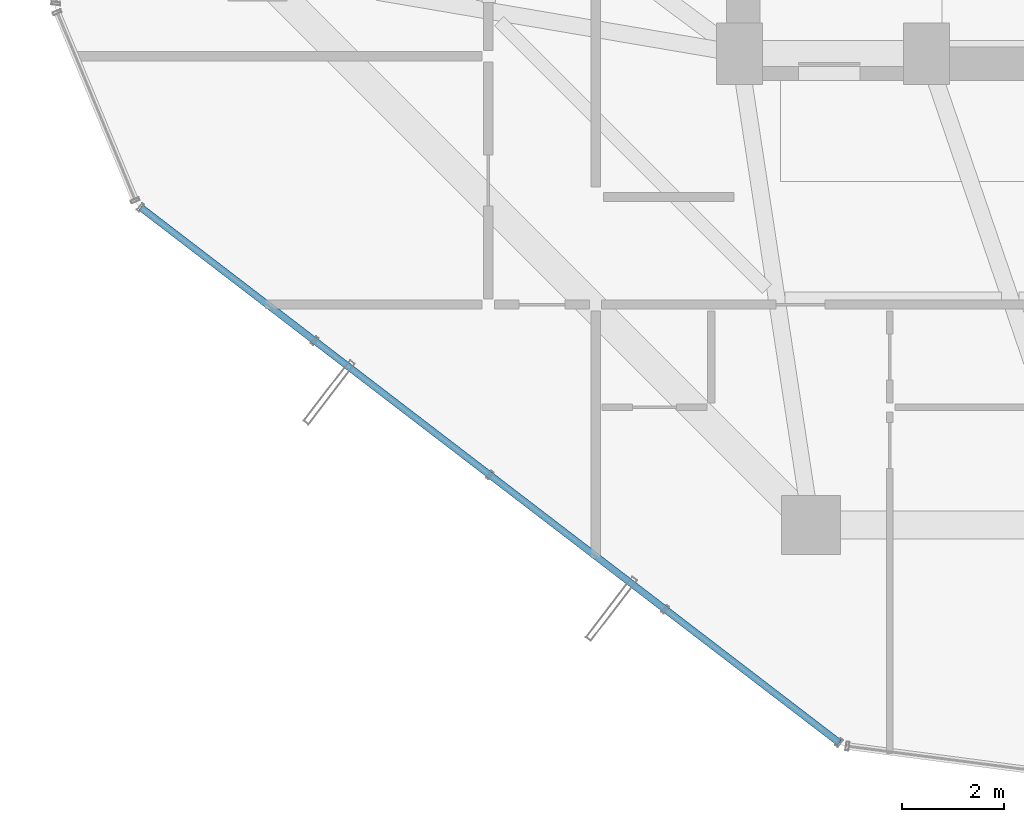
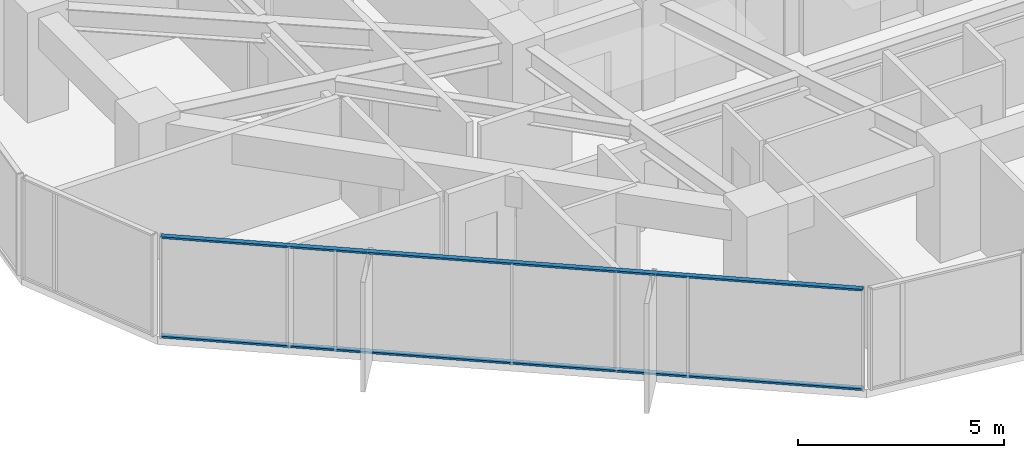
# One storey, part 3 of 30: 2 members, 1 element without a shape of its own.
"""IFC4 building model written with IfcOpenShell, lengths in metres."""

from ifc_helpers import new_model, si_unit, direction, frame, origin, origin_2d, place, context, subcontext, project, spatial, hollow_rectangle, extrude, source, transform, mapped, material, layer, layer_set, material_profile, profile_set, type_object, element, aggregate, save


model = new_model("IFC4")

# Units and contexts
model_context = context("Model", 3, precision=1e-05, world=origin(), true_north=direction((0.0, 1.0)))
body_context = subcontext(model_context, "Body", "Model", "MODEL_VIEW")
ifc_project = project(units=[si_unit("LENGTHUNIT", "METRE"), si_unit("AREAUNIT", "SQUARE_METRE"), si_unit("VOLUMEUNIT", "CUBIC_METRE"), si_unit("PLANEANGLEUNIT", "RADIAN"), si_unit("MASSUNIT", "GRAM", prefix="KILO")], contexts=[model_context])

# Site, building, storey
site_placement = place(None, origin())
site = spatial("IfcSite", under=ifc_project, at=site_placement, CompositionType="ELEMENT")
building_placement = place(site_placement, origin())
building = spatial("IfcBuilding", under=site, at=building_placement, Name="Veraguas Prism Commons", CompositionType="ELEMENT")
storey_placement = place(building_placement, frame((0.0, 0.0, 102.449951171875)))
storey = spatial("IfcBuildingStorey", under=building, at=storey_placement, Name="L28", CompositionType="ELEMENT", Elevation=102.449951171875)

# Curtain wall, members
ifc_material = material(Name="Anodised aluminium EN AW-6063 T6", Category="aluminium")
ifc_layer = layer(ifc_material, 0.169921875, Name="Unitised Flush Curtain Wall Zone 2", Category="aluminium")
ifc_layer_set = layer_set([ifc_layer], Name="Anodised aluminium EN AW-6063 T6")
curtain_wall_type = type_object("IfcCurtainWallType", Name="Unitised Flush Curtain Wall Zone 2", PredefinedType="NOTDEFINED", material=ifc_layer_set)
curtain_wall_placement = place(storey_placement, origin())
curtain_wall = element("IfcCurtainWall", 1, at=curtain_wall_placement, inside=storey, type_object=curtain_wall_type, Name="Tower Facade Curtain Wall L28-F4", PredefinedType="NOTDEFINED")
ifc_material_profile = material_profile(ifc_material, hollow_rectangle(XDim=0.054931640625, YDim=0.135009765625, WallThickness=0.0029296875, at=origin_2d()), Name="AL55X135X3")
ifc_profile_set = profile_set([ifc_material_profile], Name="Anodised aluminium EN AW-6063 T6")
member_type = type_object("IfcMemberType", Name="Curtain Wall Transom Standard AL 55x135x3", PredefinedType="USERDEFINED", material=ifc_profile_set)
shared_shape = source(origin(), body_context, "Body", "SweptSolid", [
    extrude(hollow_rectangle(XDim=0.054931640625, YDim=0.135009765625, WallThickness=0.0029296875, at=origin_2d()), origin(), (0.0, 0.0, 1.0), 17.174560546875),
])
member_1_placement = place(storey_placement, frame((5.5166015625, 13.99609375, 0.027587890625), z_axis=(0.793782502278, -0.608201725644, 0.0), x_axis=(0.0, 0.0, 1.0)))
member_1 = element("IfcMember", 2, at=member_1_placement, type_object=member_type, Name="CW-Z2 Transom 1", ObjectType="TRANSOM", PredefinedType="USERDEFINED", context=body_context, shape_type="MappedRepresentation", body=[
    mapped(shared_shape, transform((0.0, 0.0, 0.0), scale=1.0)),
])
member_2_placement = place(storey_placement, frame((5.5166015625, 13.99609375, 2.97265625), z_axis=(0.793782502278, -0.608201725644, 0.0), x_axis=(0.0, 0.0, 1.0)))
member_2 = element("IfcMember", 3, at=member_2_placement, type_object=member_type, Name="CW-Z2 Transom 2", ObjectType="TRANSOM", PredefinedType="USERDEFINED", context=body_context, shape_type="MappedRepresentation", body=[
    mapped(shared_shape, transform((0.0, 0.0, 0.0), scale=1.0)),
])
aggregate(curtain_wall, [member_1, member_2])

save(model, "model.ifc")
